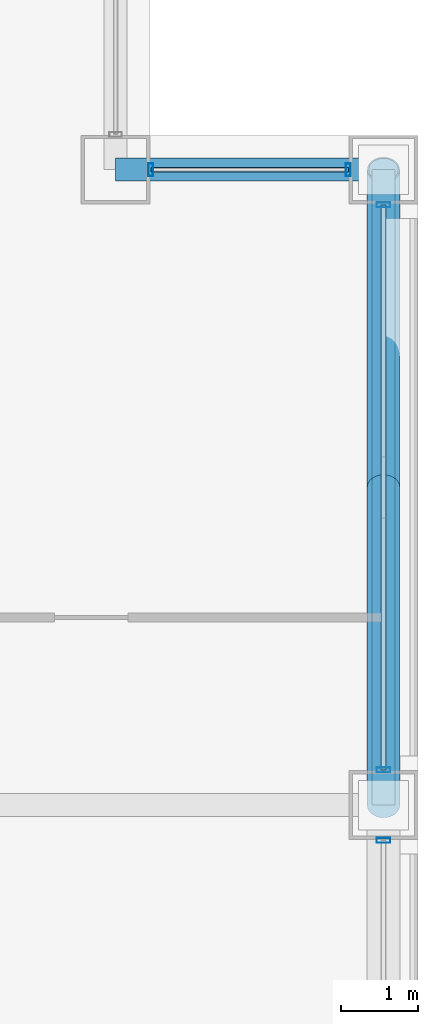
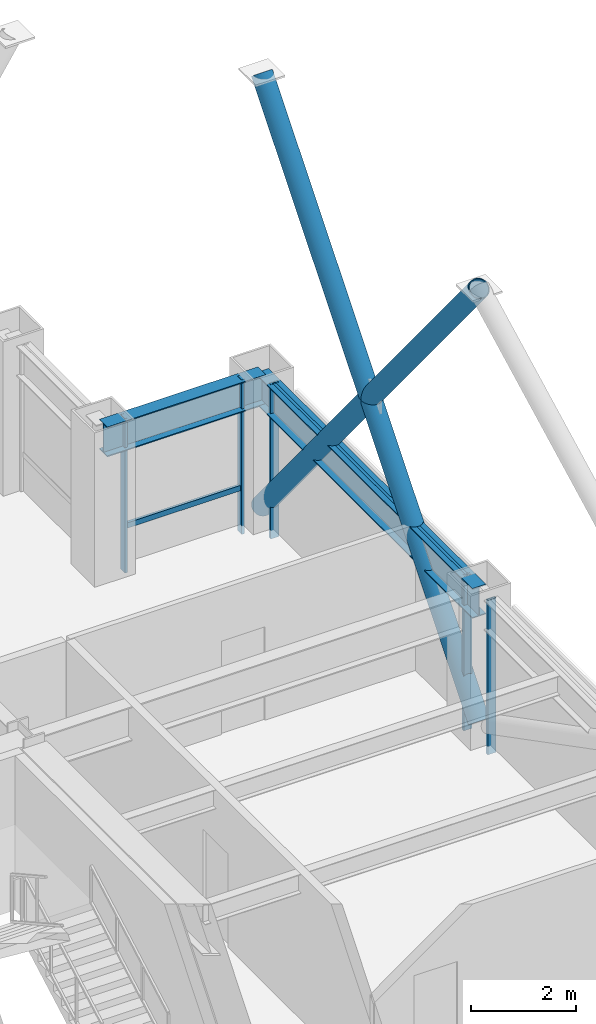
# One storey, part 22 of 30: 10 members, 2 beams, 3 elements without a shape of their own.
"""IFC4 building model written with IfcOpenShell, lengths in metres."""

from ifc_helpers import new_model, si_unit, direction, frame, origin, origin_2d, place, context, subcontext, project, spatial, hollow_rectangle, hollow_circle, i_section, extrude, material, layer, layer_set, material_profile, profile_set, type_object, element, aggregate, save


model = new_model("IFC4")

# Units and contexts
model_context = context("Model", 3, precision=1e-05, world=origin(), true_north=direction((0.0, 1.0)))
body_context = subcontext(model_context, "Body", "Model", "MODEL_VIEW")
ifc_project = project(units=[si_unit("LENGTHUNIT", "METRE"), si_unit("AREAUNIT", "SQUARE_METRE"), si_unit("VOLUMEUNIT", "CUBIC_METRE"), si_unit("PLANEANGLEUNIT", "RADIAN"), si_unit("MASSUNIT", "GRAM", prefix="KILO")], contexts=[model_context])

# Site, building, storey
site_placement = place(None, origin())
site = spatial("IfcSite", under=ifc_project, at=site_placement, CompositionType="ELEMENT")
building_placement = place(site_placement, origin())
building = spatial("IfcBuilding", under=site, at=building_placement, Name="Brelmoor Portico Tower", CompositionType="ELEMENT")
storey_placement = place(building_placement, frame((0.0, 0.0, 56.39990234375)))
storey = spatial("IfcBuildingStorey", under=building, at=storey_placement, Name="L14", CompositionType="ELEMENT", Elevation=56.39990234375)

# Beams
ifc_material_1 = material(Name="Steel Q355B", Category="steel")
ifc_material_profile_1 = material_profile(ifc_material_1, i_section(OverallWidth=0.300048828125, OverallDepth=0.699951171875, WebThickness=0.012939453125, FlangeThickness=0.02392578125, at=origin_2d()), Name="HN 700x300x13x24")
ifc_profile_set_1 = profile_set([ifc_material_profile_1], Name="Steel Q355B")
beam_type = type_object("IfcBeamType", Name="BM-SP-700", PredefinedType="SPANDREL", material=ifc_profile_set_1)
beam_1_placement = place(storey_placement, frame((21.050048828125, 18.050048828125, 3.050048828125), z_axis=(1.0, 0.0, 0.0), x_axis=(0.0, 1.0, 0.0)))
element("IfcBeam", 1, at=beam_1_placement, inside=storey, type_object=beam_type, Name="L14 Perimeter Spandrel Beam SP-09", PredefinedType="SPANDREL", context=body_context, shape_type="SweptSolid", body=[
    extrude(i_section(OverallWidth=0.300048828125, OverallDepth=0.699951171875, WebThickness=0.012939453125, FlangeThickness=0.02392578125, at=origin_2d()), origin(), (0.0, 0.0, 1.0), 3.5),
])
beam_2_placement = place(storey_placement, frame((24.550048828125, 9.75, 3.050048828125), z_axis=(0.0, 1.0, 0.0), x_axis=(-1.0, 0.0, 0.0)))
element("IfcBeam", 2, at=beam_2_placement, inside=storey, type_object=beam_type, Name="L14 Perimeter Spandrel Beam SP-24", PredefinedType="SPANDREL", context=body_context, shape_type="SweptSolid", body=[
    extrude(i_section(OverallWidth=0.300048828125, OverallDepth=0.699951171875, WebThickness=0.012939453125, FlangeThickness=0.02392578125, at=origin_2d()), origin(), (0.0, 0.0, 1.0), 8.300048828125),
])

# Members
ifc_material_profile_2 = material_profile(ifc_material_1, hollow_circle(Radius=0.212890625, WallThickness=0.02001953125, at=origin_2d()), Name="CHS 426x20")
ifc_profile_set_2 = profile_set([ifc_material_profile_2], Name="Steel Q355B")
member_type_1 = type_object("IfcMemberType", Name="MB-BELT-DIAG1", PredefinedType="BRACE", material=ifc_profile_set_2)
member_1_placement = place(storey_placement, frame((24.550048828125, 9.75, 0.25), z_axis=(0.0, 0.634901100083, 0.772593420315), x_axis=(-1.0, 0.0, 0.0)))
element("IfcMember", 3, at=member_1_placement, inside=storey, type_object=member_type_1, Name="L14 Continuous Mega-X Brace 033A", PredefinedType="BRACE", context=body_context, shape_type="SweptSolid", body=[
    extrude(hollow_circle(Radius=0.212890625, WallThickness=0.02001953125, at=origin_2d()), origin(), (0.0, 0.0, 1.0), 13.072998046875),
])
member_2_placement = place(storey_placement, frame((24.550048828125, 18.050048828125, 0.25), z_axis=(0.0, -0.634912247128, 0.772584259771), x_axis=(1.0, 0.0, 0.0)))
element("IfcMember", 4, at=member_2_placement, inside=storey, type_object=member_type_1, Name="L14 Split Mega-X Brace 033B1", PredefinedType="BRACE", context=body_context, shape_type="SweptSolid", body=[
    extrude(hollow_circle(Radius=0.212890625, WallThickness=0.02001953125, at=origin_2d()), origin(), (0.0, 0.0, 1.0), 6.53662109375),
])
member_3_placement = place(storey_placement, frame((24.550048828125, 13.89990234375, 5.300048828125), z_axis=(0.0, -0.634889952641, 0.772602580914), x_axis=(1.0, 0.0, 0.0)))
element("IfcMember", 5, at=member_3_placement, inside=storey, type_object=member_type_1, Name="L14 Split Mega-X Brace 033B2", PredefinedType="BRACE", context=body_context, shape_type="SweptSolid", body=[
    extrude(hollow_circle(Radius=0.212890625, WallThickness=0.02001953125, at=origin_2d()), origin(), (0.0, 0.0, 1.0), 6.536376953125),
])

# Curtain wall, members
ifc_material_2 = material(Name="Anodised Aluminium Alloy 6063-T6", Category="aluminium")
ifc_layer_1 = layer(ifc_material_2, 0.179931640625)
ifc_layer_set_1 = layer_set([ifc_layer_1], Name="Anodised Aluminium Alloy 6063-T6")
curtain_wall_type_1 = type_object("IfcCurtainWallType", Name="CW-NOTCH-CHAMFER", PredefinedType="NOTDEFINED", material=ifc_layer_set_1)
curtain_wall_1_placement = place(storey_placement, origin())
curtain_wall_1 = element("IfcCurtainWall", 6, at=curtain_wall_1_placement, inside=storey, type_object=curtain_wall_type_1, Name="L14 Curtain Wall CWN-L14-NEH", PredefinedType="NOTDEFINED")
ifc_material_profile_3 = material_profile(ifc_material_2, hollow_rectangle(XDim=0.06494140625, YDim=0.1650390625, WallThickness=0.00390625, at=origin_2d()), Name="ALU MULLION 65x165")
ifc_profile_set_3 = profile_set([ifc_material_profile_3], Name="Anodised Aluminium Alloy 6063-T6")
member_type_2 = type_object("IfcMemberType", Name="MB-CW-MULL-165", PredefinedType="MULLION", material=ifc_profile_set_3)
member_4_placement = place(storey_placement, frame((21.510009765625, 18.050048828125, -0.199951171875), z_axis=(0.0, 0.0, 1.0), x_axis=(1.0, 0.0, 0.0)))
member_4 = element("IfcMember", 7, at=member_4_placement, type_object=member_type_2, Name="CWN-L14-NEH Mullion 00", PredefinedType="MULLION", context=body_context, shape_type="SweptSolid", body=[
    extrude(hollow_rectangle(XDim=0.06494140625, YDim=0.1650390625, WallThickness=0.00390625, at=origin_2d()), origin(), (0.0, 0.0, 1.0), 3.60009765625),
])
member_5_placement = place(storey_placement, frame((24.090087890625, 18.050048828125, -0.199951171875), z_axis=(0.0, 0.0, 1.0), x_axis=(1.0, 0.0, 0.0)))
member_5 = element("IfcMember", 8, at=member_5_placement, type_object=member_type_2, Name="CWN-L14-NEH Mullion 01", PredefinedType="MULLION", context=body_context, shape_type="SweptSolid", body=[
    extrude(hollow_rectangle(XDim=0.06494140625, YDim=0.1650390625, WallThickness=0.00390625, at=origin_2d()), origin(), (0.0, 0.0, 1.0), 3.60009765625),
])

# Curtain wall, member
ifc_layer_2 = layer(ifc_material_2, 0.179931640625)
ifc_layer_set_2 = layer_set([ifc_layer_2], Name="Anodised Aluminium Alloy 6063-T6")
curtain_wall_type_2 = type_object("IfcCurtainWallType", Name="CW-TOWER-Z1-XB", PredefinedType="NOTDEFINED", material=ifc_layer_set_2)
curtain_wall_2_placement = place(storey_placement, origin())
curtain_wall_2 = element("IfcCurtainWall", 9, at=curtain_wall_2_placement, inside=storey, type_object=curtain_wall_type_2, Name="L14 Curtain Wall CW-L14-04-2", PredefinedType="NOTDEFINED")
ifc_material_profile_4 = material_profile(ifc_material_2, hollow_rectangle(XDim=0.06494140625, YDim=0.179931640625, WallThickness=0.00390625, at=origin_2d()), Name="ALU MULLION 65x180")
ifc_profile_set_4 = profile_set([ifc_material_profile_4], Name="Anodised Aluminium Alloy 6063-T6")
member_type_3 = type_object("IfcMemberType", Name="MB-CW-MULL-180", PredefinedType="MULLION", material=ifc_profile_set_4)
member_6_placement = place(storey_placement, frame((24.550048828125, 9.2900390625, -0.199951171875), z_axis=(0.0, 0.0, 1.0), x_axis=(0.0, 1.0, 0.0)))
member_6 = element("IfcMember", 10, at=member_6_placement, type_object=member_type_3, Name="CW-L14-04-2 Mullion 02", PredefinedType="MULLION", context=body_context, shape_type="SweptSolid", body=[
    extrude(hollow_rectangle(XDim=0.06494140625, YDim=0.179931640625, WallThickness=0.00390625, at=origin_2d()), origin(), (0.0, 0.0, 1.0), 3.60009765625),
])
aggregate(curtain_wall_2, [member_6])

# Curtain wall, members
curtain_wall_3_placement = place(storey_placement, origin())
curtain_wall_3 = element("IfcCurtainWall", 11, at=curtain_wall_3_placement, inside=storey, type_object=curtain_wall_type_2, Name="L14 Curtain Wall CW-L14-04-3", PredefinedType="NOTDEFINED")
member_7_placement = place(storey_placement, frame((24.550048828125, 10.2099609375, -0.199951171875), z_axis=(0.0, 0.0, 1.0), x_axis=(0.0, 1.0, 0.0)))
member_7 = element("IfcMember", 12, at=member_7_placement, type_object=member_type_3, Name="CW-L14-04-3 Mullion 00", PredefinedType="MULLION", context=body_context, shape_type="SweptSolid", body=[
    extrude(hollow_rectangle(XDim=0.06494140625, YDim=0.179931640625, WallThickness=0.00390625, at=origin_2d()), origin(), (0.0, 0.0, 1.0), 3.60009765625),
])
member_8_placement = place(storey_placement, frame((24.550048828125, 17.590087890625, -0.199951171875), z_axis=(0.0, 0.0, 1.0), x_axis=(0.0, 1.0, 0.0)))
member_8 = element("IfcMember", 13, at=member_8_placement, type_object=member_type_3, Name="CW-L14-04-3 Mullion 01", PredefinedType="MULLION", context=body_context, shape_type="SweptSolid", body=[
    extrude(hollow_rectangle(XDim=0.06494140625, YDim=0.179931640625, WallThickness=0.00390625, at=origin_2d()), origin(), (0.0, 0.0, 1.0), 3.60009765625),
])

# Member
ifc_material_profile_5 = material_profile(ifc_material_2, hollow_rectangle(XDim=0.06005859375, YDim=0.125, WallThickness=0.00341796875, at=origin_2d()), Name="ALU TRANSOM 60x125")
ifc_profile_set_5 = profile_set([ifc_material_profile_5], Name="Anodised Aluminium Alloy 6063-T6")
member_type_4 = type_object("IfcMemberType", Name="MB-CW-TRAN-125", PredefinedType="USERDEFINED", material=ifc_profile_set_5)
member_9_placement = place(storey_placement, frame((21.510009765625, 18.050048828125, 0.85009765625), z_axis=(1.0, 0.0, 0.0), x_axis=(0.0, 1.0, 0.0)))
member_9 = element("IfcMember", 14, at=member_9_placement, type_object=member_type_4, Name="CWN-L14-NEH Transom 1-00", ObjectType="TRANSOM", PredefinedType="USERDEFINED", context=body_context, shape_type="SweptSolid", body=[
    extrude(hollow_rectangle(XDim=0.06005859375, YDim=0.125, WallThickness=0.00341796875, at=origin_2d()), origin(), (0.0, 0.0, 1.0), 2.580078125),
])

aggregate(curtain_wall_1, [member_4, member_5, member_9])

ifc_material_profile_6 = material_profile(ifc_material_2, hollow_rectangle(XDim=0.06494140625, YDim=0.139892578125, WallThickness=0.00390625, at=origin_2d()), Name="ALU TRANSOM 65x140")
ifc_profile_set_6 = profile_set([ifc_material_profile_6], Name="Anodised Aluminium Alloy 6063-T6")
member_type_5 = type_object("IfcMemberType", Name="MB-CW-TRAN-140", PredefinedType="USERDEFINED", material=ifc_profile_set_6)
member_10_placement = place(storey_placement, frame((24.550048828125, 10.2099609375, 3.330078125), z_axis=(0.0, 1.0, 0.0), x_axis=(-1.0, 0.0, 0.0)))
member_10 = element("IfcMember", 15, at=member_10_placement, type_object=member_type_5, Name="CW-L14-04-3 Transom 1-00", ObjectType="TRANSOM", PredefinedType="USERDEFINED", context=body_context, shape_type="SweptSolid", body=[
    extrude(hollow_rectangle(XDim=0.06494140625, YDim=0.139892578125, WallThickness=0.00390625, at=origin_2d()), origin(), (0.0, 0.0, 1.0), 7.380126953125),
])

aggregate(curtain_wall_3, [member_7, member_8, member_10])

save(model, "model.ifc")
